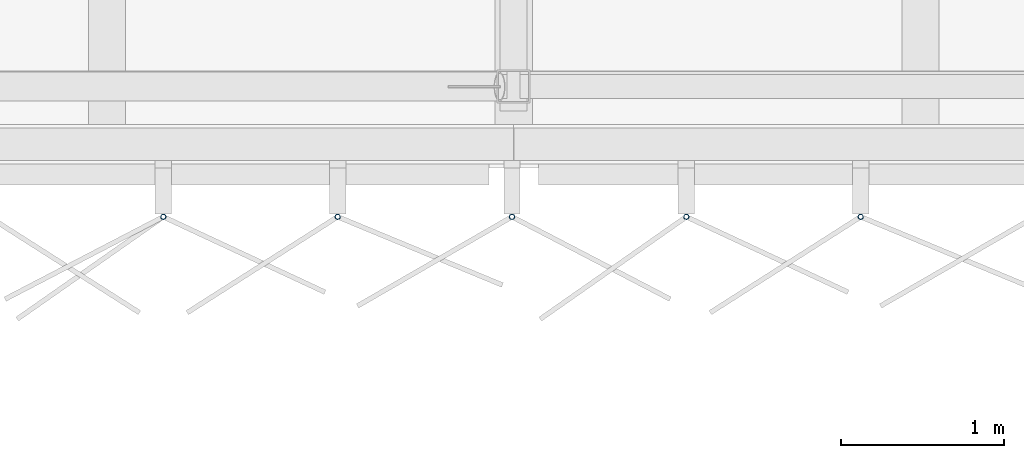
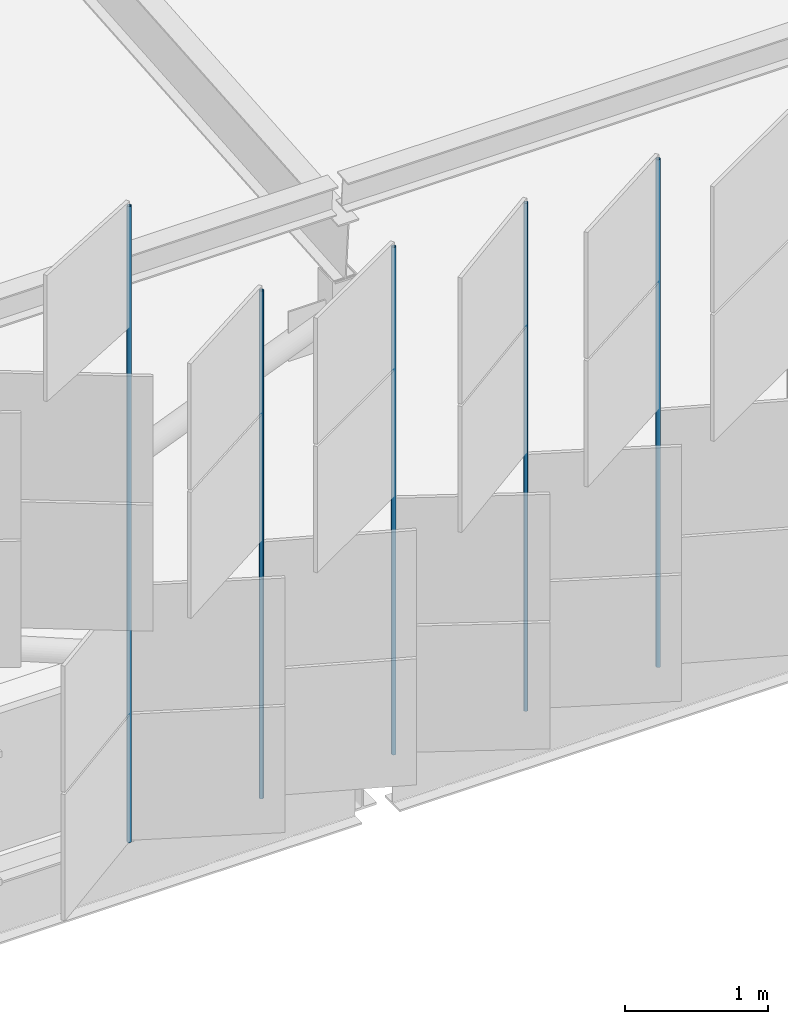
# One storey, part 146 of 483: 5 discrete accessories.
"""IFC4 building model written with IfcOpenShell, lengths in metres."""

import ifcopenshell
import ifcopenshell.guid

model = None  # the IFC model being written
_history = None  # IfcOwnerHistory: only IFC2X3 demands one
_inside = {}  # id of a spatial element -> (the spatial element, [elements in it])
_under = {}  # id of a project, library or spatial element -> (it, [spatial elements below it])
_declared = {}  # id of a project -> (the project, [libraries it declares])
_typed = {}  # id of a type object -> (the type object, [elements of that type])
_made_of = {}  # id of a material, layer set ... -> (it, [elements and type objects made of it])


def new_model(schema):
    """Start an empty IFC model of exactly this schema.

    Asked for "IFC4X3", IfcOpenShell would pick the latest addendum, in which some entities
    have other attributes; the version numbers below select the first issue.
    IFC2X3 requires an IfcOwnerHistory on every rooted entity: one is made here for all.
    """
    global model, _history
    if schema == "IFC4X3":
        model = ifcopenshell.file(schema_version=(4, 3, 0, 0))
    else:
        model = ifcopenshell.file(schema=schema)
    _inside.clear()
    _under.clear()
    _declared.clear()
    _typed.clear()
    _made_of.clear()
    _history = None
    if model.schema == "IFC2X3":
        org = make("IfcOrganization", Name="unknown")
        user = make(
            "IfcPersonAndOrganization",
            ThePerson=make("IfcPerson", FamilyName="unknown"),
            TheOrganization=org,
        )
        app = make(
            "IfcApplication",
            ApplicationDeveloper=org,
            Version="unknown",
            ApplicationFullName="unknown",
            ApplicationIdentifier="unknown",
        )
        _history = make(
            "IfcOwnerHistory",
            OwningUser=user,
            OwningApplication=app,
            ChangeAction="ADDED",
            CreationDate=0,
        )
    return model


def make(cls, **values):
    """One entity of the class cls with the attributes given. An attribute that is None is left unset."""
    return model.create_entity(
        cls, **{name: value for name, value in values.items() if value is not None}
    )


def rooted(cls, **values):
    """An entity with a GlobalId (a new one), such as an element, a storey or a relation."""
    return make(cls, GlobalId=ifcopenshell.guid.new(), OwnerHistory=_history, **values)


def si_unit(unit_type, name, prefix=None):
    """IfcSIUnit, for example si_unit("LENGTHUNIT", "METRE", prefix="MILLI")."""
    return make("IfcSIUnit", UnitType=unit_type, Prefix=prefix, Name=name)


def assignment(units):
    """IfcUnitAssignment: the units of a project."""
    return None if units is None else make("IfcUnitAssignment", Units=units)


def point(xyz):
    """IfcCartesianPoint."""
    return None if xyz is None else make("IfcCartesianPoint", Coordinates=xyz)


def direction(xyz):
    """IfcDirection."""
    return None if xyz is None else make("IfcDirection", DirectionRatios=xyz)


def frame(location, z_axis=None, x_axis=None):
    """IfcAxis2Placement3D, a coordinate frame: its origin and axes. An axis left out is left unset."""
    return make(
        "IfcAxis2Placement3D",
        Location=point(location),
        Axis=direction(z_axis),
        RefDirection=direction(x_axis),
    )


def frame_2d(location, x_axis=None):
    """IfcAxis2Placement2D, a coordinate frame in the plane: its origin and x axis."""
    return make(
        "IfcAxis2Placement2D", Location=point(location), RefDirection=direction(x_axis)
    )


def origin():
    """The frame at (0, 0, 0) with its axes left unset."""
    return frame((0.0, 0.0, 0.0))


def origin_2d():
    """The frame at (0, 0) in the plane with its x axis left unset."""
    return frame_2d((0.0, 0.0))


def place(relative_to, where):
    """IfcLocalPlacement: puts the frame where relative to a parent placement (None: the world)."""
    return make(
        "IfcLocalPlacement", PlacementRelTo=relative_to, RelativePlacement=where
    )


def context(
    kind, dimensions, precision=None, world=None, true_north=None, identifier=None
):
    """IfcGeometricRepresentationContext, for example the 3D "Model" context."""
    return make(
        "IfcGeometricRepresentationContext",
        ContextIdentifier=identifier,
        ContextType=kind,
        CoordinateSpaceDimension=dimensions,
        Precision=precision,
        WorldCoordinateSystem=world,
        TrueNorth=true_north,
    )


def subcontext(parent, identifier, kind, view, scale=None):
    """IfcGeometricRepresentationSubContext, for example "Body" below "Model"."""
    return make(
        "IfcGeometricRepresentationSubContext",
        ContextIdentifier=identifier,
        ContextType=kind,
        ParentContext=parent,
        TargetScale=scale,
        TargetView=view,
    )


def project(units=None, contexts=None):
    """IfcProject with its units and contexts."""
    return rooted(
        "IfcProject",
        Name="project",
        RepresentationContexts=contexts,
        UnitsInContext=assignment(units),
    )


def spatial(cls, under=None, at=None, **own):
    """A site, building, storey or space (cls), placed at a placement, below another one or the project."""
    s = rooted(cls, ObjectPlacement=at, **own)
    if under is not None:
        _under.setdefault(under.id(), (under, []))[1].append(s)
    return s


def profile(cls, at=None, kind="AREA", **sizes):
    """A parametric profile (cls). Its sizes go by their IFC names, for example OverallWidth=200.0."""
    return make(cls, ProfileType=kind, Position=at, **sizes)


def hollow_circle(**sizes):
    """IfcCircleHollowProfileDef."""
    return profile("IfcCircleHollowProfileDef", **sizes)


def extrude(swept, where, along, depth):
    """IfcExtrudedAreaSolid: the profile swept, set in the frame where, extruded along a direction by depth."""
    return make(
        "IfcExtrudedAreaSolid",
        SweptArea=swept,
        Position=where,
        ExtrudedDirection=direction(along),
        Depth=depth,
    )


def shape(context_of_items, identifier, shape_type, items):
    """IfcShapeRepresentation: the items that make up one representation, for example the "Body"."""
    return make(
        "IfcShapeRepresentation",
        ContextOfItems=context_of_items,
        RepresentationIdentifier=identifier,
        RepresentationType=shape_type,
        Items=items,
    )


def material(Name=None, Category=None):
    """IfcMaterial."""
    return make("IfcMaterial", Name=Name, Category=Category)


def material_profile(
    of_material, cross_section, Name=None, Category=None, Priority=None
):
    """IfcMaterialProfile: a cross section and its material."""
    return make(
        "IfcMaterialProfile",
        Name=Name,
        Material=of_material,
        Profile=cross_section,
        Priority=Priority,
        Category=Category,
    )


def profile_set(profiles, Name=None, composite=None):
    """IfcMaterialProfileSet."""
    return make(
        "IfcMaterialProfileSet",
        Name=Name,
        MaterialProfiles=profiles,
        CompositeProfile=composite,
    )


def made_of(thing, what):
    """Note that an element or type object is made of a material, layer set ...; save() writes the relation."""
    if what is not None:
        _made_of.setdefault(what.id(), (what, []))[1].append(thing)
    return thing


def type_object(cls, material=None, **own):
    """A type object (cls), such as IfcWallType, which elements share."""
    return made_of(rooted(cls, **own), material)


def element(
    cls,
    number,
    at=None,
    inside=None,
    cuts=None,
    type_object=None,
    material=None,
    context=None,
    identifier="Body",
    shape_type=None,
    held_by="IfcProductDefinitionShape",
    body=None,
    shapes=None,
    **own,
):
    """One element of the class cls, such as IfcWall. Its Tag is "e" and its number.

    at: its placement. inside: the storey or other place that contains it. cuts: it is an
    opening in that element (IfcRelVoidsElement). A single representation is given by context,
    identifier, shape_type and body (its items); several are given by shapes. held_by: the class
    of the entity that holds the representations. save() writes the other relations.
    """
    e = rooted(cls, Tag="e%d" % number, ObjectPlacement=at, **own)
    if body is not None:
        shapes = [shape(context, identifier, shape_type, body)]
    if shapes is not None:
        e.Representation = make(held_by, Representations=shapes)
    if inside is not None:
        _inside.setdefault(inside.id(), (inside, []))[1].append(e)
    if cuts is not None:
        rooted(
            "IfcRelVoidsElement", RelatingBuildingElement=cuts, RelatedOpeningElement=e
        )
    if type_object is not None:
        _typed.setdefault(type_object.id(), (type_object, []))[1].append(e)
    return made_of(e, material)


def aggregate(whole, parts):
    """IfcRelAggregates: a whole, such as a stair, and the parts it consists of."""
    return rooted("IfcRelAggregates", RelatingObject=whole, RelatedObjects=parts)


def save(model, path):
    """Write the relations noted so far, then the file.

    IfcRelAggregates (storeys below a building ...), IfcRelContainedInSpatialStructure (elements
    in a storey), IfcRelDefinesByType, IfcRelAssociatesMaterial and IfcRelDeclares: one each for
    every whole, place, type object, material and project.
    """
    for whole, parts in _under.values():
        aggregate(whole, parts)
    for where, things in _inside.values():
        rooted(
            "IfcRelContainedInSpatialStructure",
            RelatedElements=things,
            RelatingStructure=where,
        )
    for kind, things in _typed.values():
        rooted("IfcRelDefinesByType", RelatedObjects=things, RelatingType=kind)
    for what, things in _made_of.values():
        rooted("IfcRelAssociatesMaterial", RelatedObjects=things, RelatingMaterial=what)
    for by, libraries in _declared.values():
        rooted("IfcRelDeclares", RelatingContext=by, RelatedDefinitions=libraries)
    model.write(path)


model = new_model("IFC4")

# Units and contexts
model_context = context("Model", 3, precision=1e-05, world=origin(), true_north=direction((0.0, 1.0)))
body_context = subcontext(model_context, "Body", "Model", "MODEL_VIEW")
ifc_project = project(units=[si_unit("LENGTHUNIT", "METRE"), si_unit("AREAUNIT", "SQUARE_METRE"), si_unit("VOLUMEUNIT", "CUBIC_METRE"), si_unit("PLANEANGLEUNIT", "RADIAN"), si_unit("MASSUNIT", "GRAM", prefix="KILO")], contexts=[model_context])

# Site, building, storey
site_placement = place(None, origin())
site = spatial("IfcSite", under=ifc_project, at=site_placement, CompositionType="ELEMENT")
building_placement = place(site_placement, origin())
building = spatial("IfcBuilding", under=site, at=building_placement, Name="Parallax Yard Mobility Hub", CompositionType="ELEMENT")
storey_placement = place(building_placement, frame((0.0, 0.0, 13.199951171875)))
storey = spatial("IfcBuildingStorey", under=building, at=storey_placement, Name="L04", CompositionType="ELEMENT", Elevation=13.199951171875)

# Discrete accessories
ifc_material = material(Name="Steel ASTM A500 Gr C, hot-dip galvanised", Category="steel")
ifc_material_profile = material_profile(ifc_material, hollow_circle(Radius=0.016845703125, WallThickness=0.003173828125, at=origin_2d()), Name="CHS 33.7x3.2")
ifc_profile_set = profile_set([ifc_material_profile], Name="Steel ASTM A500 Gr C, hot-dip galvanised")
discrete_accessory_type = type_object("IfcDiscreteAccessoryType", Name="Hinge post CHS 33.7x3.2", PredefinedType="BRACKET", material=ifc_profile_set)
discrete_accessory_placement = place(storey_placement, frame((95.346923828125, 112.199951171875, 0.0), z_axis=(0.0, 0.0, 1.0), x_axis=(1.0, 0.0, 0.0)))
element("IfcDiscreteAccessory", 1, at=discrete_accessory_placement, inside=storey, type_object=discrete_accessory_type, Name="Hinge post bay 8.6 level L04", PredefinedType="BRACKET", context=body_context, shape_type="SweptSolid", body=[
    extrude(hollow_circle(Radius=0.016845703125, WallThickness=0.003173828125, at=origin_2d()), origin(), (0.0, 0.0, 1.0), 5.449951171875),
])
for number, where, z_axis, x_axis, name in (
    (2, (96.41845703125, 112.199951171875, 0.0), (0.0, 0.0, 1.0), (1.0, 0.0, 0.0), "Hinge post bay 8.7 level L04"),
    (3, (97.489990234375, 112.199951171875, 0.0), (0.0, 0.0, 1.0), (1.0, 0.0, 0.0), "Hinge post bay 9.1 level L04"),
    (4, (98.561279296875, 112.199951171875, 0.0), (0.0, 0.0, 1.0), (1.0, 0.0, 0.0), "Hinge post bay 9.2 level L04"),
    (5, (99.6328125, 112.199951171875, 0.0), (0.0, 0.0, 1.0), (1.0, 0.0, 0.0), "Hinge post bay 9.3 level L04"),
):
    element("IfcDiscreteAccessory", number, at=place(storey_placement, frame(where, z_axis=z_axis, x_axis=x_axis)), inside=storey, type_object=discrete_accessory_type, Name=name, PredefinedType="BRACKET", context=body_context, shape_type="SweptSolid", body=[
        extrude(hollow_circle(Radius=0.016845703125, WallThickness=0.003173828125, at=origin_2d()), origin(), (0.0, 0.0, 1.0), 4.35009765625),
    ])

save(model, "model.ifc")
